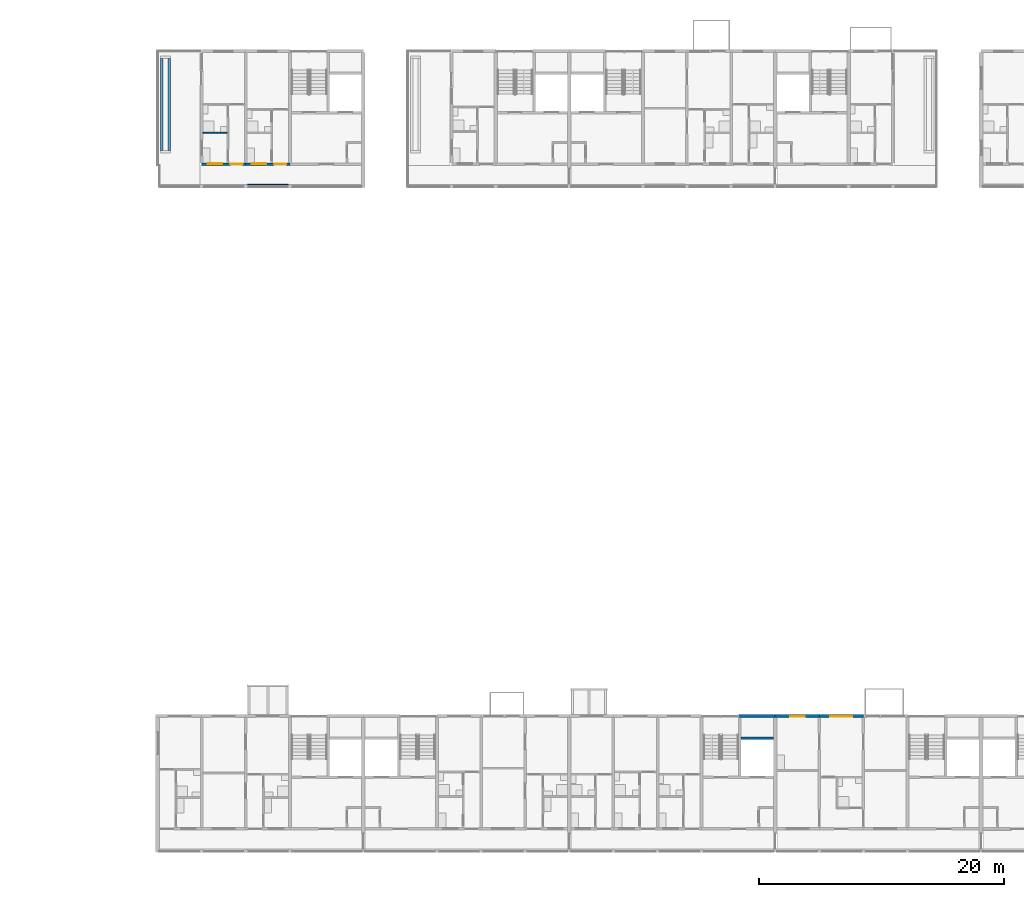
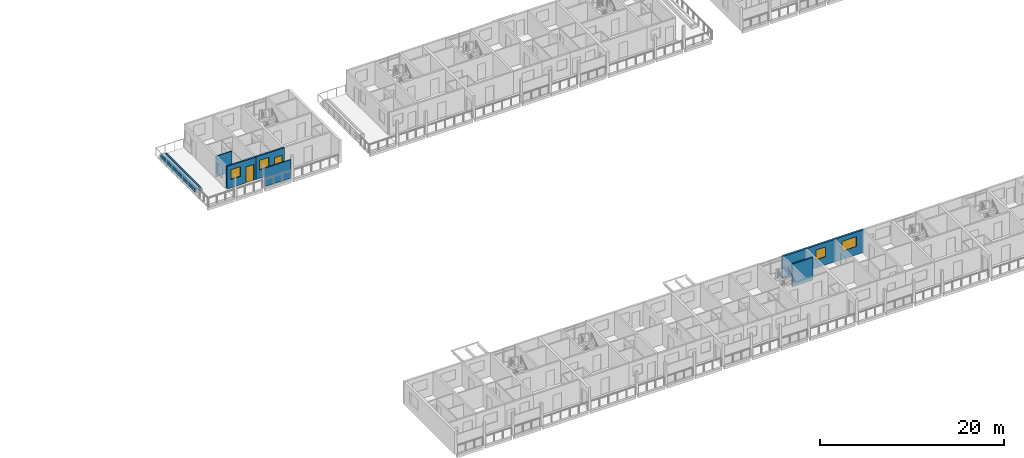
# One storey, part 49 of 94: 10 walls, 4 windows, 2 doors, 6 openings.
"""IFC4 building model written with IfcOpenShell, lengths in metres."""

from ifc_helpers import new_model, si_unit, direction, frame, frame_2d, origin, place, context, subcontext, project, spatial, rectangle, extrude, material, layer, layer_set, type_object, element, fill, save


model = new_model("IFC4")

# Units and contexts
model_context = context("Model", 3, precision=1e-05, world=origin(), true_north=direction((0.0, 1.0)))
body_context = subcontext(model_context, "Body", "Model", "MODEL_VIEW")
ifc_project = project(units=[si_unit("LENGTHUNIT", "METRE"), si_unit("AREAUNIT", "SQUARE_METRE"), si_unit("VOLUMEUNIT", "CUBIC_METRE"), si_unit("PLANEANGLEUNIT", "RADIAN"), si_unit("MASSUNIT", "GRAM", prefix="KILO")], contexts=[model_context])

# Site, building, storey
site_placement = place(None, origin())
site = spatial("IfcSite", under=ifc_project, at=site_placement, CompositionType="ELEMENT")
building_placement = place(site_placement, origin())
building = spatial("IfcBuilding", under=site, at=building_placement, Name="Ridgestep Commons", CompositionType="ELEMENT")
storey_placement = place(building_placement, frame((0.0, 0.0, 24.0)))
storey = spatial("IfcBuildingStorey", under=building, at=storey_placement, Name="L08", CompositionType="ELEMENT", Elevation=24.0)

# Walls
ifc_material_1 = material(Name="Concrete C30/37", Category="concrete")
ifc_layer_1 = layer(ifc_material_1, 0.199951171875)
ifc_layer_set_1 = layer_set([ifc_layer_1], Name="Core wall 200")
wall_type_1 = type_object("IfcWallType", Name="Core wall 200", PredefinedType="SHEAR", material=ifc_layer_set_1)
wall_1_placement = place(storey_placement, frame((194.425048828125, 21.050048828125, 0.0), z_axis=(0.0, 0.0, 1.0), x_axis=(1.0, 0.0, 0.0)))
element("IfcWall", 1, at=wall_1_placement, inside=storey, type_object=wall_type_1, Name="Core duct wall D3C L08", PredefinedType="SHEAR", context=body_context, shape_type="SweptSolid", body=[
    extrude(rectangle(XDim=2.625, YDim=0.199951171875, at=frame_2d((1.3125, 0.0))), origin(), (0.0, 0.0, 1.0), 3.0),
])
ifc_material_2 = material(Name="Precast concrete C40/50", Category="concrete")
ifc_layer_2 = layer(ifc_material_2, 0.25)
ifc_layer_set_2 = layer_set([ifc_layer_2], Name="North facade panel 250")
wall_type_2 = type_object("IfcWallType", Name="North facade panel 250", PredefinedType="SOLIDWALL", material=ifc_layer_set_2)
wall_2_placement = place(storey_placement, frame((194.22509765625, 22.875, 0.0), z_axis=(0.0, 0.0, 1.0), x_axis=(1.0, 0.0, 0.0)))
element("IfcWall", 2, at=wall_2_placement, inside=storey, type_object=wall_type_2, Name="North panel D3C L08", PredefinedType="SOLIDWALL", context=body_context, shape_type="SweptSolid", body=[
    extrude(rectangle(XDim=2.974853515625, YDim=0.25, at=frame_2d((1.4873046875, 0.0))), origin(), (0.0, 0.0, 1.0), 3.0),
])

# Wall, opening, window
wall_3_placement = place(storey_placement, frame((197.199951171875, 22.875, 0.0), z_axis=(0.0, 0.0, 1.0), x_axis=(1.0, 0.0, 0.0)))
wall_3 = element("IfcWall", 3, at=wall_3_placement, inside=storey, type_object=wall_type_2, Name="North panel D4T1 L08", PredefinedType="SOLIDWALL", context=body_context, shape_type="SweptSolid", body=[
    extrude(rectangle(XDim=3.60009765625, YDim=0.25, at=frame_2d((1.800048828125, 0.0))), origin(), (0.0, 0.0, 1.0), 3.0),
])
opening_1_placement = place(wall_3_placement, frame((1.22509765625, 0.0, 1.10009765625)))
opening_1 = element("IfcOpeningElement", 4, at=opening_1_placement, cuts=wall_3, Name="Opening W08", PredefinedType="OPENING", context=body_context, shape_type="SweptSolid", body=[
    extrude(rectangle(XDim=1.199951171875, YDim=1.300048828125, at=frame_2d((0.60009765625, 0.64990234375))), frame((0.0, 0.135009765625, 0.0), z_axis=(0.0, -1.0, 0.0), x_axis=(1.0, 0.0, 0.0)), (0.0, 0.0, 1.0), 0.27001953125),
])
ifc_material_3 = material(Name="Aluminium 6063-T6 and glass", Category="aluminium")
window_type_1 = type_object("IfcWindowType", Name="Flat window 1200 x 1300", PartitioningType="SINGLE_PANEL", PredefinedType="WINDOW", material=ifc_material_3)
window_1_placement = place(opening_1_placement, origin())
window_1 = element("IfcWindow", 5, at=window_1_placement, inside=storey, type_object=window_type_1, Name="Window D4-08a 2", OverallHeight=1.300048828125, OverallWidth=1.199951171875, PartitioningType="SINGLE_PANEL", PredefinedType="WINDOW", context=body_context, shape_type="SweptSolid", body=[
    extrude(rectangle(XDim=1.199951171875, YDim=1.300048828125, at=frame_2d((0.60009765625, 0.64990234375))), frame((0.0, -0.02490234375, 0.0), z_axis=(0.0, -1.0, 0.0), x_axis=(1.0, 0.0, 0.0)), (0.0, 0.0, 1.0), 0.06005859375),
])
fill(opening_1, window_1)

wall_4_placement = place(storey_placement, frame((200.800048828125, 22.875, 0.0), z_axis=(0.0, 0.0, 1.0), x_axis=(1.0, 0.0, 0.0)))
wall_4 = element("IfcWall", 6, at=wall_4_placement, inside=storey, type_object=wall_type_2, Name="North panel D4T2 L08", PredefinedType="SOLIDWALL", context=body_context, shape_type="SweptSolid", body=[
    extrude(rectangle(XDim=3.599853515625, YDim=0.25, at=frame_2d((1.7998046875, 0.0))), origin(), (0.0, 0.0, 1.0), 3.0),
])
opening_2_placement = place(wall_4_placement, frame((0.89990234375, 0.0, 1.10009765625)))
opening_2 = element("IfcOpeningElement", 7, at=opening_2_placement, cuts=wall_4, Name="Opening W18", PredefinedType="OPENING", context=body_context, shape_type="SweptSolid", body=[
    extrude(rectangle(XDim=1.800048828125, YDim=1.300048828125, at=frame_2d((0.89990234375, 0.64990234375))), frame((0.0, 0.135009765625, 0.0), z_axis=(0.0, -1.0, 0.0), x_axis=(1.0, 0.0, 0.0)), (0.0, 0.0, 1.0), 0.27001953125),
])
ifc_material_4 = material(Name="Aluminium 6063-T6 and glass", Category="aluminium")
window_type_2 = type_object("IfcWindowType", Name="Flat window 1800 x 1300", PartitioningType="DOUBLE_PANEL_VERTICAL", PredefinedType="WINDOW", material=ifc_material_4)
window_2_placement = place(opening_2_placement, origin())
window_2 = element("IfcWindow", 8, at=window_2_placement, inside=storey, type_object=window_type_2, Name="Window D4-08a 5", OverallHeight=1.300048828125, OverallWidth=1.800048828125, PartitioningType="SINGLE_PANEL", PredefinedType="WINDOW", context=body_context, shape_type="SweptSolid", body=[
    extrude(rectangle(XDim=1.800048828125, YDim=1.300048828125, at=frame_2d((0.89990234375, 0.64990234375))), frame((0.0, -0.02490234375, 0.0), z_axis=(0.0, -1.0, 0.0), x_axis=(1.0, 0.0, 0.0)), (0.0, 0.0, 1.0), 0.06005859375),
])
fill(opening_2, window_2)

# Walls
ifc_material_5 = material(Name="Common brick 110 mm", Category="masonry")
ifc_layer_3 = layer(ifc_material_5, 0.110107421875)
ifc_layer_set_3 = layer_set([ifc_layer_3], Name="Partition 110")
wall_type_3 = type_object("IfcWallType", Name="Partition 110", PredefinedType="PARTITIONING", material=ifc_layer_set_3)
wall_5_placement = place(storey_placement, frame((150.5, 70.455078125, 0.0), z_axis=(0.0, 0.0, 1.0), x_axis=(1.0, 0.0, 0.0)))
element("IfcWall", 9, at=wall_5_placement, inside=storey, type_object=wall_type_3, Name="Partition C1-08a", PredefinedType="PARTITIONING", context=body_context, shape_type="SweptSolid", body=[
    extrude(rectangle(XDim=1.989990234375, YDim=0.110107421875, at=frame_2d((0.9951171875, 0.0))), origin(), (0.0, 0.0, 1.0), 2.75),
])
ifc_material_6 = material(Name="Precast concrete C30/37", Category="concrete")
ifc_layer_4 = layer(ifc_material_6, 0.10009765625)
ifc_layer_set_4 = layer_set([ifc_layer_4], Name="Perforated gallery screen 3350 x 2450 x 100")
wall_type_4 = type_object("IfcWallType", Name="Perforated gallery screen 3350 x 2450 x 100", PredefinedType="SOLIDWALL", material=ifc_layer_set_4)
wall_6_placement = place(storey_placement, frame((154.125, 66.199951171875, 0.0), z_axis=(0.0, 0.0, 1.0), x_axis=(1.0, 0.0, 0.0)))
element("IfcWall", 10, at=wall_6_placement, inside=storey, type_object=wall_type_4, Name="Gallery screen C1T3 08", PredefinedType="SOLIDWALL", context=body_context, shape_type="SweptSolid", body=[
    extrude(rectangle(XDim=3.35009765625, YDim=0.10009765625, at=frame_2d((1.675048828125, 0.0))), origin(), (0.0, 0.0, 1.0), 2.449951171875),
])
ifc_material_7 = material(Name="Facing brick", Category="masonry")
ifc_layer_5 = layer(ifc_material_7, 0.199951171875)
ifc_layer_set_5 = layer_set([ifc_layer_5], Name="Planter wall 200")
wall_type_5 = type_object("IfcWallType", Name="Planter wall 200", PredefinedType="SOLIDWALL", material=ifc_layer_set_5)
for number, where, z_axis, x_axis, name in (
    (11, (147.14990234375, 69.0, 0.010009765625), (0.0, 0.0, 1.0), (0.0, 1.0, 0.0), "Planter wall C1R1W"),
    (12, (147.75, 69.0, 0.010009765625), (0.0, 0.0, 1.0), (0.0, 1.0, 0.0), "Planter wall C1R1E"),
):
    element("IfcWall", number, at=place(storey_placement, frame(where, z_axis=z_axis, x_axis=x_axis)), inside=storey, type_object=wall_type_5, Name=name, PredefinedType="SOLIDWALL", context=body_context, shape_type="SweptSolid", body=[
        extrude(rectangle(XDim=7.5, YDim=0.199951171875, at=frame_2d((3.75, 0.0))), origin(), (0.0, 0.0, 1.0), 0.449951171875),
    ])

# Wall, openings, door, window
ifc_material_8 = material(Name="Precast concrete C40/50", Category="concrete")
ifc_layer_6 = layer(ifc_material_8, 0.199951171875)
ifc_layer_set_6 = layer_set([ifc_layer_6], Name="South facade panel 200")
wall_type_6 = type_object("IfcWallType", Name="South facade panel 200", PredefinedType="SOLIDWALL", material=ifc_layer_set_6)
wall_7_placement = place(storey_placement, frame((150.39990234375, 67.89990234375, 0.0), z_axis=(0.0, 0.0, 1.0), x_axis=(1.0, 0.0, 0.0)))
wall_7 = element("IfcWall", 13, at=wall_7_placement, inside=storey, type_object=wall_type_6, Name="South panel C1T2 L08", PredefinedType="SOLIDWALL", context=body_context, shape_type="SweptSolid", body=[
    extrude(rectangle(XDim=3.60009765625, YDim=0.199951171875, at=frame_2d((1.800048828125, 0.0))), origin(), (0.0, 0.0, 1.0), 3.0),
])
opening_3_placement = place(wall_7_placement, frame((0.4951171875, 0.0, 1.10009765625)))
opening_3 = element("IfcOpeningElement", 14, at=opening_3_placement, cuts=wall_7, Name="Opening W08", PredefinedType="OPENING", context=body_context, shape_type="SweptSolid", body=[
    extrude(rectangle(XDim=1.199951171875, YDim=1.300048828125, at=frame_2d((0.60009765625, 0.64990234375))), frame((0.0, 0.10986328125, 0.0), z_axis=(0.0, -1.0, 0.0), x_axis=(1.0, 0.0, 0.0)), (0.0, 0.0, 1.0), 0.219970703125),
])
opening_4_placement = place(wall_7_placement, frame((2.35009765625, 0.0, 0.0)))
opening_4 = element("IfcOpeningElement", 15, at=opening_4_placement, cuts=wall_7, Name="Opening C1-08a/1", PredefinedType="OPENING", context=body_context, shape_type="SweptSolid", body=[
    extrude(rectangle(XDim=1.0, YDim=2.10009765625, at=frame_2d((0.5, 1.050048828125))), frame((0.0, 0.10986328125, 0.0), z_axis=(0.0, -1.0, 0.0), x_axis=(1.0, 0.0, 0.0)), (0.0, 0.0, 1.0), 0.219970703125),
])
ifc_material_9 = material(Name="Timber door leaf", Category="wood")
door_type = type_object("IfcDoorType", Name="Flat entrance door 1000 x 2100 FD30S", OperationType="NOTDEFINED", PredefinedType="DOOR", material=ifc_material_9)
door_1_placement = place(opening_4_placement, origin())
door_1 = element("IfcDoor", 16, at=door_1_placement, inside=storey, type_object=door_type, Name="Flat entrance door C1-08a/1", OperationType="SINGLE_SWING_RIGHT", OverallHeight=2.10009765625, OverallWidth=1.0, PredefinedType="DOOR", context=body_context, shape_type="SweptSolid", body=[
    extrude(rectangle(XDim=1.0, YDim=2.10009765625, at=frame_2d((0.5, 1.050048828125))), frame((0.0, 0.02490234375, 0.0), z_axis=(0.0, -1.0, 0.0), x_axis=(1.0, 0.0, 0.0)), (0.0, 0.0, 1.0), 0.050048828125),
])
fill(opening_4, door_1)
window_3_placement = place(opening_3_placement, origin())
window_3 = element("IfcWindow", 17, at=window_3_placement, inside=storey, type_object=window_type_1, Name="Window C1-08a 1", OverallHeight=1.300048828125, OverallWidth=1.199951171875, PartitioningType="SINGLE_PANEL", PredefinedType="WINDOW", context=body_context, shape_type="SweptSolid", body=[
    extrude(rectangle(XDim=1.199951171875, YDim=1.300048828125, at=frame_2d((0.60009765625, 0.64990234375))), frame((0.0, 0.06005859375, 0.0), z_axis=(0.0, -1.0, 0.0), x_axis=(1.0, 0.0, 0.0)), (0.0, 0.0, 1.0), 0.06005859375),
])
fill(opening_3, window_3)

wall_8_placement = place(storey_placement, frame((154.0, 67.89990234375, 0.0), z_axis=(0.0, 0.0, 1.0), x_axis=(1.0, 0.0, 0.0)))
wall_8 = element("IfcWall", 18, at=wall_8_placement, inside=storey, type_object=wall_type_6, Name="South panel C1T3 L08", PredefinedType="SOLIDWALL", context=body_context, shape_type="SweptSolid", body=[
    extrude(rectangle(XDim=3.60009765625, YDim=0.199951171875, at=frame_2d((1.800048828125, 0.0))), origin(), (0.0, 0.0, 1.0), 3.0),
])
opening_5_placement = place(wall_8_placement, frame((0.482421875, 0.0, 1.10009765625)))
opening_5 = element("IfcOpeningElement", 19, at=opening_5_placement, cuts=wall_8, Name="Opening W08", PredefinedType="OPENING", context=body_context, shape_type="SweptSolid", body=[
    extrude(rectangle(XDim=1.199951171875, YDim=1.300048828125, at=frame_2d((0.60009765625, 0.64990234375))), frame((0.0, 0.10986328125, 0.0), z_axis=(0.0, -1.0, 0.0), x_axis=(1.0, 0.0, 0.0)), (0.0, 0.0, 1.0), 0.219970703125),
])
opening_6_placement = place(wall_8_placement, frame((2.324951171875, 0.0, 0.0)))
opening_6 = element("IfcOpeningElement", 20, at=opening_6_placement, cuts=wall_8, Name="Opening C1-08b/1", PredefinedType="OPENING", context=body_context, shape_type="SweptSolid", body=[
    extrude(rectangle(XDim=1.0, YDim=2.10009765625, at=frame_2d((0.5, 1.050048828125))), frame((0.0, 0.10986328125, 0.0), z_axis=(0.0, -1.0, 0.0), x_axis=(1.0, 0.0, 0.0)), (0.0, 0.0, 1.0), 0.219970703125),
])
door_2_placement = place(opening_6_placement, origin())
door_2 = element("IfcDoor", 21, at=door_2_placement, inside=storey, type_object=door_type, Name="Flat entrance door C1-08b/1", OperationType="SINGLE_SWING_RIGHT", OverallHeight=2.10009765625, OverallWidth=1.0, PredefinedType="DOOR", context=body_context, shape_type="SweptSolid", body=[
    extrude(rectangle(XDim=1.0, YDim=2.10009765625, at=frame_2d((0.5, 1.050048828125))), frame((0.0, 0.02490234375, 0.0), z_axis=(0.0, -1.0, 0.0), x_axis=(1.0, 0.0, 0.0)), (0.0, 0.0, 1.0), 0.050048828125),
])
fill(opening_6, door_2)
window_4_placement = place(opening_5_placement, origin())
window_4 = element("IfcWindow", 22, at=window_4_placement, inside=storey, type_object=window_type_1, Name="Window C1-08b 1", OverallHeight=1.300048828125, OverallWidth=1.199951171875, PartitioningType="SINGLE_PANEL", PredefinedType="WINDOW", context=body_context, shape_type="SweptSolid", body=[
    extrude(rectangle(XDim=1.199951171875, YDim=1.300048828125, at=frame_2d((0.60009765625, 0.64990234375))), frame((0.0, 0.06005859375, 0.0), z_axis=(0.0, -1.0, 0.0), x_axis=(1.0, 0.0, 0.0)), (0.0, 0.0, 1.0), 0.06005859375),
])
fill(opening_5, window_4)

save(model, "model.ifc")
